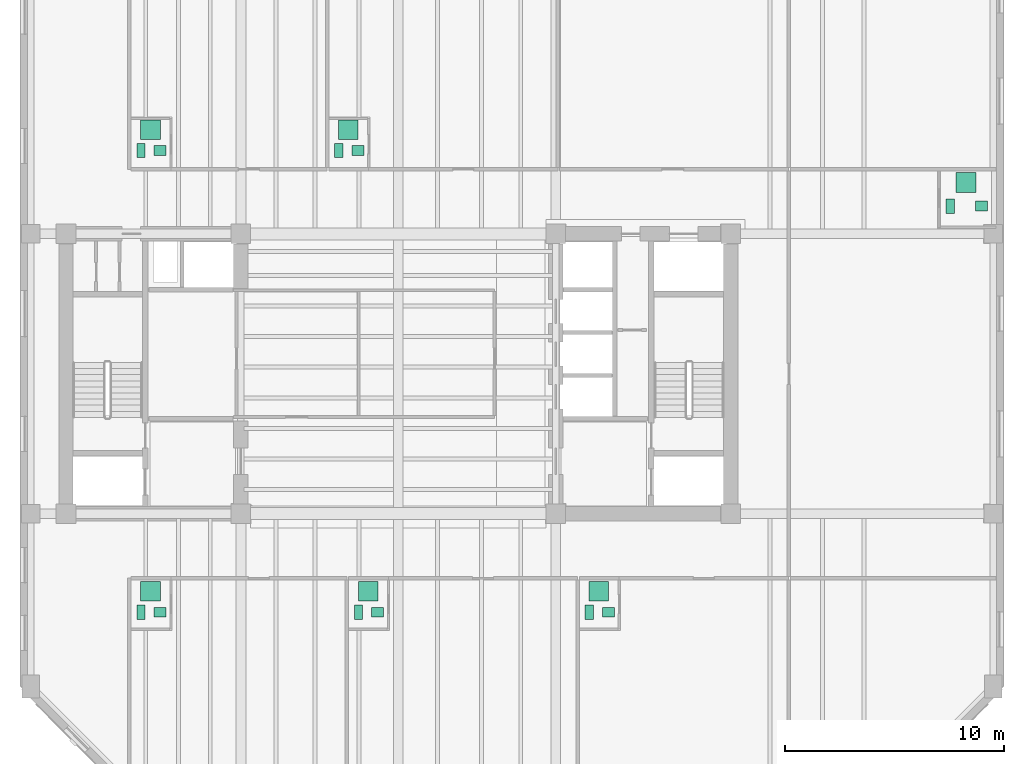
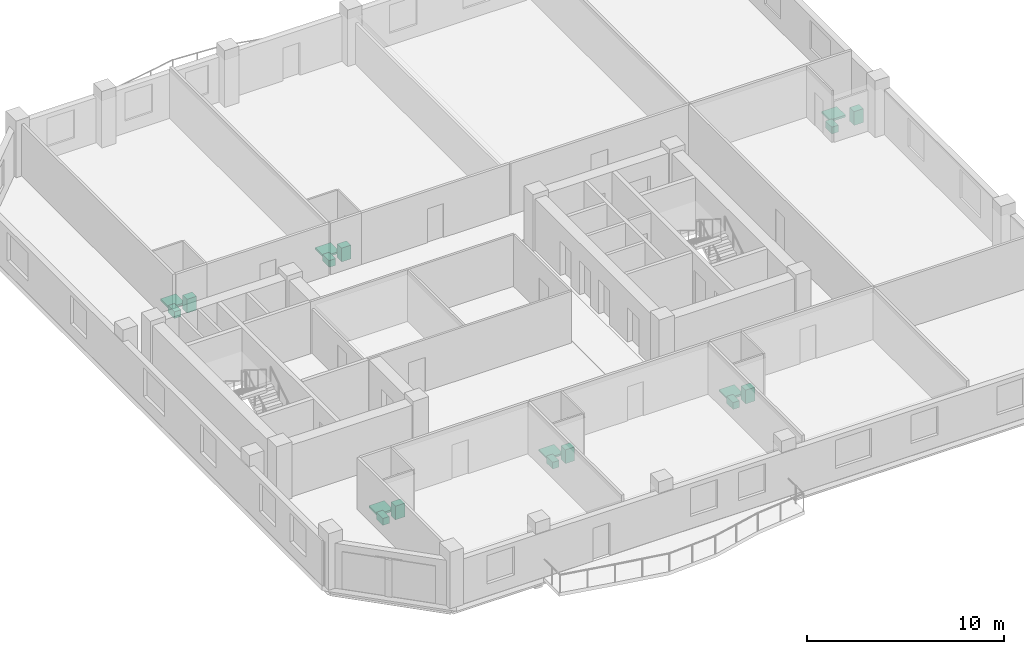
# One storey, part 9 of 9: 18 sanitary terminals.
"""IFC4 building model written with IfcOpenShell, lengths in metres."""

import ifcopenshell
import ifcopenshell.guid

model = None  # the IFC model being written
_history = None  # IfcOwnerHistory: only IFC2X3 demands one
_inside = {}  # id of a spatial element -> (the spatial element, [elements in it])
_under = {}  # id of a project, library or spatial element -> (it, [spatial elements below it])
_declared = {}  # id of a project -> (the project, [libraries it declares])
_typed = {}  # id of a type object -> (the type object, [elements of that type])
_made_of = {}  # id of a material, layer set ... -> (it, [elements and type objects made of it])


def new_model(schema):
    """Start an empty IFC model of exactly this schema.

    Asked for "IFC4X3", IfcOpenShell would pick the latest addendum, in which some entities
    have other attributes; the version numbers below select the first issue.
    IFC2X3 requires an IfcOwnerHistory on every rooted entity: one is made here for all.
    """
    global model, _history
    if schema == "IFC4X3":
        model = ifcopenshell.file(schema_version=(4, 3, 0, 0))
    else:
        model = ifcopenshell.file(schema=schema)
    _inside.clear()
    _under.clear()
    _declared.clear()
    _typed.clear()
    _made_of.clear()
    _history = None
    if model.schema == "IFC2X3":
        org = make("IfcOrganization", Name="unknown")
        user = make(
            "IfcPersonAndOrganization",
            ThePerson=make("IfcPerson", FamilyName="unknown"),
            TheOrganization=org,
        )
        app = make(
            "IfcApplication",
            ApplicationDeveloper=org,
            Version="unknown",
            ApplicationFullName="unknown",
            ApplicationIdentifier="unknown",
        )
        _history = make(
            "IfcOwnerHistory",
            OwningUser=user,
            OwningApplication=app,
            ChangeAction="ADDED",
            CreationDate=0,
        )
    return model


def make(cls, **values):
    """One entity of the class cls with the attributes given. An attribute that is None is left unset."""
    return model.create_entity(
        cls, **{name: value for name, value in values.items() if value is not None}
    )


def rooted(cls, **values):
    """An entity with a GlobalId (a new one), such as an element, a storey or a relation."""
    return make(cls, GlobalId=ifcopenshell.guid.new(), OwnerHistory=_history, **values)


def si_unit(unit_type, name, prefix=None):
    """IfcSIUnit, for example si_unit("LENGTHUNIT", "METRE", prefix="MILLI")."""
    return make("IfcSIUnit", UnitType=unit_type, Prefix=prefix, Name=name)


def assignment(units):
    """IfcUnitAssignment: the units of a project."""
    return None if units is None else make("IfcUnitAssignment", Units=units)


def point(xyz):
    """IfcCartesianPoint."""
    return None if xyz is None else make("IfcCartesianPoint", Coordinates=xyz)


def direction(xyz):
    """IfcDirection."""
    return None if xyz is None else make("IfcDirection", DirectionRatios=xyz)


def frame(location, z_axis=None, x_axis=None):
    """IfcAxis2Placement3D, a coordinate frame: its origin and axes. An axis left out is left unset."""
    return make(
        "IfcAxis2Placement3D",
        Location=point(location),
        Axis=direction(z_axis),
        RefDirection=direction(x_axis),
    )


def frame_2d(location, x_axis=None):
    """IfcAxis2Placement2D, a coordinate frame in the plane: its origin and x axis."""
    return make(
        "IfcAxis2Placement2D", Location=point(location), RefDirection=direction(x_axis)
    )


def origin():
    """The frame at (0, 0, 0) with its axes left unset."""
    return frame((0.0, 0.0, 0.0))


def origin_2d():
    """The frame at (0, 0) in the plane with its x axis left unset."""
    return frame_2d((0.0, 0.0))


def place(relative_to, where):
    """IfcLocalPlacement: puts the frame where relative to a parent placement (None: the world)."""
    return make(
        "IfcLocalPlacement", PlacementRelTo=relative_to, RelativePlacement=where
    )


def context(
    kind, dimensions, precision=None, world=None, true_north=None, identifier=None
):
    """IfcGeometricRepresentationContext, for example the 3D "Model" context."""
    return make(
        "IfcGeometricRepresentationContext",
        ContextIdentifier=identifier,
        ContextType=kind,
        CoordinateSpaceDimension=dimensions,
        Precision=precision,
        WorldCoordinateSystem=world,
        TrueNorth=true_north,
    )


def subcontext(parent, identifier, kind, view, scale=None):
    """IfcGeometricRepresentationSubContext, for example "Body" below "Model"."""
    return make(
        "IfcGeometricRepresentationSubContext",
        ContextIdentifier=identifier,
        ContextType=kind,
        ParentContext=parent,
        TargetScale=scale,
        TargetView=view,
    )


def project(units=None, contexts=None):
    """IfcProject with its units and contexts."""
    return rooted(
        "IfcProject",
        Name="project",
        RepresentationContexts=contexts,
        UnitsInContext=assignment(units),
    )


def spatial(cls, under=None, at=None, **own):
    """A site, building, storey or space (cls), placed at a placement, below another one or the project."""
    s = rooted(cls, ObjectPlacement=at, **own)
    if under is not None:
        _under.setdefault(under.id(), (under, []))[1].append(s)
    return s


def profile(cls, at=None, kind="AREA", **sizes):
    """A parametric profile (cls). Its sizes go by their IFC names, for example OverallWidth=200.0."""
    return make(cls, ProfileType=kind, Position=at, **sizes)


def rectangle(**sizes):
    """IfcRectangleProfileDef."""
    return profile("IfcRectangleProfileDef", **sizes)


def extrude(swept, where, along, depth):
    """IfcExtrudedAreaSolid: the profile swept, set in the frame where, extruded along a direction by depth."""
    return make(
        "IfcExtrudedAreaSolid",
        SweptArea=swept,
        Position=where,
        ExtrudedDirection=direction(along),
        Depth=depth,
    )


def shape(context_of_items, identifier, shape_type, items):
    """IfcShapeRepresentation: the items that make up one representation, for example the "Body"."""
    return make(
        "IfcShapeRepresentation",
        ContextOfItems=context_of_items,
        RepresentationIdentifier=identifier,
        RepresentationType=shape_type,
        Items=items,
    )


def material(Name=None, Category=None):
    """IfcMaterial."""
    return make("IfcMaterial", Name=Name, Category=Category)


def made_of(thing, what):
    """Note that an element or type object is made of a material, layer set ...; save() writes the relation."""
    if what is not None:
        _made_of.setdefault(what.id(), (what, []))[1].append(thing)
    return thing


def type_object(cls, material=None, **own):
    """A type object (cls), such as IfcWallType, which elements share."""
    return made_of(rooted(cls, **own), material)


def element(
    cls,
    number,
    at=None,
    inside=None,
    cuts=None,
    type_object=None,
    material=None,
    context=None,
    identifier="Body",
    shape_type=None,
    held_by="IfcProductDefinitionShape",
    body=None,
    shapes=None,
    **own,
):
    """One element of the class cls, such as IfcWall. Its Tag is "e" and its number.

    at: its placement. inside: the storey or other place that contains it. cuts: it is an
    opening in that element (IfcRelVoidsElement). A single representation is given by context,
    identifier, shape_type and body (its items); several are given by shapes. held_by: the class
    of the entity that holds the representations. save() writes the other relations.
    """
    e = rooted(cls, Tag="e%d" % number, ObjectPlacement=at, **own)
    if body is not None:
        shapes = [shape(context, identifier, shape_type, body)]
    if shapes is not None:
        e.Representation = make(held_by, Representations=shapes)
    if inside is not None:
        _inside.setdefault(inside.id(), (inside, []))[1].append(e)
    if cuts is not None:
        rooted(
            "IfcRelVoidsElement", RelatingBuildingElement=cuts, RelatedOpeningElement=e
        )
    if type_object is not None:
        _typed.setdefault(type_object.id(), (type_object, []))[1].append(e)
    return made_of(e, material)


def aggregate(whole, parts):
    """IfcRelAggregates: a whole, such as a stair, and the parts it consists of."""
    return rooted("IfcRelAggregates", RelatingObject=whole, RelatedObjects=parts)


def save(model, path):
    """Write the relations noted so far, then the file.

    IfcRelAggregates (storeys below a building ...), IfcRelContainedInSpatialStructure (elements
    in a storey), IfcRelDefinesByType, IfcRelAssociatesMaterial and IfcRelDeclares: one each for
    every whole, place, type object, material and project.
    """
    for whole, parts in _under.values():
        aggregate(whole, parts)
    for where, things in _inside.values():
        rooted(
            "IfcRelContainedInSpatialStructure",
            RelatedElements=things,
            RelatingStructure=where,
        )
    for kind, things in _typed.values():
        rooted("IfcRelDefinesByType", RelatedObjects=things, RelatingType=kind)
    for what, things in _made_of.values():
        rooted("IfcRelAssociatesMaterial", RelatedObjects=things, RelatingMaterial=what)
    for by, libraries in _declared.values():
        rooted("IfcRelDeclares", RelatingContext=by, RelatedDefinitions=libraries)
    model.write(path)


model = new_model("IFC4")

# Units and contexts
model_context = context("Model", 3, precision=1e-05, world=origin(), true_north=direction((0.0, 1.0)))
body_context = subcontext(model_context, "Body", "Model", "MODEL_VIEW")
ifc_project = project(units=[si_unit("LENGTHUNIT", "METRE"), si_unit("AREAUNIT", "SQUARE_METRE"), si_unit("VOLUMEUNIT", "CUBIC_METRE"), si_unit("PLANEANGLEUNIT", "RADIAN"), si_unit("MASSUNIT", "GRAM", prefix="KILO")], contexts=[model_context])

# Site, building, storey
site_placement = place(None, origin())
site = spatial("IfcSite", under=ifc_project, at=site_placement, CompositionType="ELEMENT")
building_placement = place(site_placement, origin())
building = spatial("IfcBuilding", under=site, at=building_placement, Name="Kranthara Brick Stack", CompositionType="ELEMENT")
storey_placement = place(building_placement, frame((0.0, 0.0, 169.300048828125)))
storey = spatial("IfcBuildingStorey", under=building, at=storey_placement, Name="L43", CompositionType="ELEMENT", Elevation=169.300048828125)

# Sanitary terminals
ifc_material_1 = material(Name="Vitreous china sanitary porcelain", Category="other")
sanitary_terminal_type_1 = type_object("IfcSanitaryTerminalType", Name="SAN-BASIN", PredefinedType="WASHHANDBASIN", material=ifc_material_1)
for number, where, z_axis, x_axis, name in (
    (1, (17.110107421875, 16.294921875, 0.0), (0.0, 0.0, 1.0), (1.0, 0.0, 0.0), "L43 Washbasin 213"),
    (2, (27.05908203125, 16.294921875, 0.0), (0.0, 0.0, 1.0), (1.0, 0.0, 0.0), "L43 Washbasin 214"),
    (3, (37.612060546875, 16.294921875, 0.0), (0.0, 0.0, 1.0), (1.0, 0.0, 0.0), "L43 Washbasin 215"),
    (4, (17.110107421875, 37.405029296875, 0.0), (0.0, 0.0, 1.0), (1.0, 0.0, 0.0), "L43 Washbasin 216"),
    (5, (26.155029296875, 37.405029296875, 0.0), (0.0, 0.0, 1.0), (1.0, 0.0, 0.0), "L43 Washbasin 217"),
    (6, (54.679931640625, 34.864990234375, 0.0), (0.0, 0.0, 1.0), (1.0, 0.0, 0.0), "L43 Washbasin 218"),
):
    element("IfcSanitaryTerminal", number, at=place(storey_placement, frame(where, z_axis=z_axis, x_axis=x_axis)), inside=storey, type_object=sanitary_terminal_type_1, Name=name, PredefinedType="WASHHANDBASIN", context=body_context, shape_type="SweptSolid", body=[
        extrude(rectangle(XDim=0.550048828125, YDim=0.449951171875, at=origin_2d()), origin(), (0.0, 0.0, 1.0), 0.85009765625),
    ])
ifc_material_2 = material(Name="Acrylic and porcelain shower tray", Category="other")
sanitary_terminal_type_2 = type_object("IfcSanitaryTerminalType", Name="SAN-SHOWER", PredefinedType="SHOWER", material=ifc_material_2)
for number, where, z_axis, x_axis, name in (
    (7, (16.669921875, 17.25, 0.0), (0.0, 0.0, 1.0), (1.0, 0.0, 0.0), "L43 Shower Tray 213"),
    (8, (26.618896484375, 17.25, 0.0), (0.0, 0.0, 1.0), (1.0, 0.0, 0.0), "L43 Shower Tray 214"),
    (9, (37.172119140625, 17.25, 0.0), (0.0, 0.0, 1.0), (1.0, 0.0, 0.0), "L43 Shower Tray 215"),
    (10, (16.669921875, 38.360107421875, 0.0), (0.0, 0.0, 1.0), (1.0, 0.0, 0.0), "L43 Shower Tray 216"),
    (11, (25.715087890625, 38.360107421875, 0.0), (0.0, 0.0, 1.0), (1.0, 0.0, 0.0), "L43 Shower Tray 217"),
    (12, (53.9599609375, 35.949951171875, 0.0), (0.0, 0.0, 1.0), (1.0, 0.0, 0.0), "L43 Shower Tray 218"),
):
    element("IfcSanitaryTerminal", number, at=place(storey_placement, frame(where, z_axis=z_axis, x_axis=x_axis)), inside=storey, type_object=sanitary_terminal_type_2, Name=name, PredefinedType="SHOWER", context=body_context, shape_type="SweptSolid", body=[
        extrude(rectangle(XDim=0.89990234375, YDim=0.89990234375, at=origin_2d()), origin(), (0.0, 0.0, 1.0), 0.1201171875),
    ])
ifc_material_3 = material(Name="Vitreous china sanitary porcelain", Category="other")
sanitary_terminal_type_3 = type_object("IfcSanitaryTerminalType", Name="SAN-WC-PAN", PredefinedType="TOILETPAN", material=ifc_material_3)
for number, where, z_axis, x_axis, name in (
    (13, (16.22998046875, 16.294921875, 0.0), (0.0, 0.0, 1.0), (1.0, 0.0, 0.0), "L43 WC Pan 213"),
    (14, (26.178955078125, 16.294921875, 0.0), (0.0, 0.0, 1.0), (1.0, 0.0, 0.0), "L43 WC Pan 214"),
    (15, (36.73193359375, 16.294921875, 0.0), (0.0, 0.0, 1.0), (1.0, 0.0, 0.0), "L43 WC Pan 215"),
    (16, (16.22998046875, 37.405029296875, 0.0), (0.0, 0.0, 1.0), (1.0, 0.0, 0.0), "L43 WC Pan 216"),
    (17, (25.27490234375, 37.405029296875, 0.0), (0.0, 0.0, 1.0), (1.0, 0.0, 0.0), "L43 WC Pan 217"),
    (18, (53.239990234375, 34.864990234375, 0.0), (0.0, 0.0, 1.0), (1.0, 0.0, 0.0), "L43 WC Pan 218"),
):
    element("IfcSanitaryTerminal", number, at=place(storey_placement, frame(where, z_axis=z_axis, x_axis=x_axis)), inside=storey, type_object=sanitary_terminal_type_3, Name=name, PredefinedType="TOILETPAN", context=body_context, shape_type="SweptSolid", body=[
        extrude(rectangle(XDim=0.3798828125, YDim=0.64990234375, at=origin_2d()), origin(), (0.0, 0.0, 1.0), 0.419921875),
    ])

save(model, "model.ifc")
